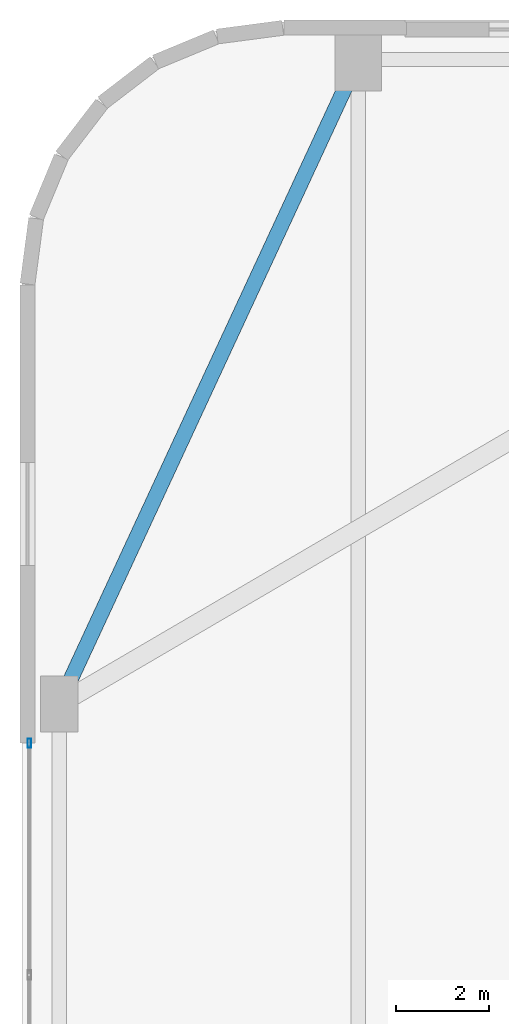
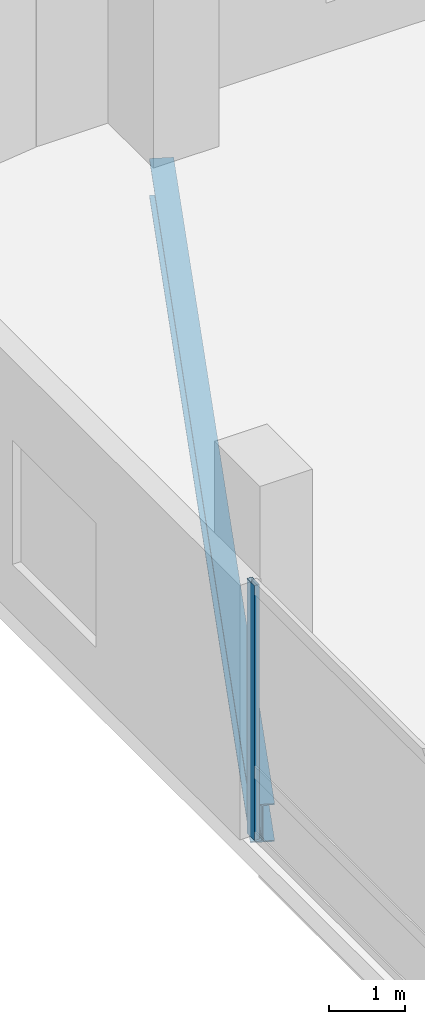
# One storey, part 14 of 31: 1 beam, 1 member, 1 element without a shape of its own.
"""IFC4 building model written with IfcOpenShell, lengths in metres."""

from ifc_helpers import new_model, si_unit, direction, frame, origin, origin_2d, place, context, subcontext, project, spatial, hollow_rectangle, i_section, extrude, material, layer, layer_set, material_profile, profile_set, type_object, element, aggregate, save


model = new_model("IFC4")

# Units and contexts
model_context = context("Model", 3, precision=1e-05, world=origin(), true_north=direction((0.0, 1.0)))
body_context = subcontext(model_context, "Body", "Model", "MODEL_VIEW")
ifc_project = project(units=[si_unit("LENGTHUNIT", "METRE"), si_unit("AREAUNIT", "SQUARE_METRE"), si_unit("VOLUMEUNIT", "CUBIC_METRE"), si_unit("PLANEANGLEUNIT", "RADIAN"), si_unit("MASSUNIT", "GRAM", prefix="KILO")], contexts=[model_context])

# Site, building, storey
site_placement = place(None, origin())
site = spatial("IfcSite", under=ifc_project, at=site_placement, CompositionType="ELEMENT")
building_placement = place(site_placement, origin())
building = spatial("IfcBuilding", under=site, at=building_placement, Name="Varnelok Gate Tower", CompositionType="ELEMENT")
storey_placement = place(building_placement, frame((0.0, 0.0, 21.60009765625)))
storey = spatial("IfcBuildingStorey", under=building, at=storey_placement, Name="L04", CompositionType="ELEMENT", Elevation=21.60009765625)

# Beam
ifc_material_1 = material(Name="Structural Steel ASTM A992 Grade 50", Category="steel")
ifc_material_profile_1 = material_profile(ifc_material_1, i_section(OverallWidth=0.323974609375, OverallDepth=0.611083984375, WebThickness=0.0126953125, FlangeThickness=0.01904296875, FilletRadius=0.01806640625, at=origin_2d()), Name="W24X104")
ifc_profile_set_1 = profile_set([ifc_material_profile_1], Name="Structural Steel ASTM A992 Grade 50")
beam_type = type_object("IfcBeamType", Name="BM-SPN-W24X104", PredefinedType="SPANDREL", material=ifc_profile_set_1)
beam_placement = place(storey_placement, frame((0.85888671875, 36.126953125, -0.62548828125), z_axis=(0.420722638096, 0.907189319709, 0.0), x_axis=(-0.907189319709, 0.420722638096, 0.0)))
element("IfcBeam", 1, at=beam_placement, inside=storey, type_object=beam_type, Name="L04 Podium Primary Girder 9", PredefinedType="SPANDREL", context=body_context, shape_type="SweptSolid", body=[
    extrude(i_section(OverallWidth=0.323974609375, OverallDepth=0.611083984375, WebThickness=0.0126953125, FlangeThickness=0.01904296875, FilletRadius=0.01806640625, at=origin_2d()), origin(), (0.0, 0.0, 1.0), 14.931884765625),
])

# Curtain wall, member
ifc_material_2 = material(Name="Anodized Aluminum Alloy 6063-T6", Category="aluminium")
ifc_layer = layer(ifc_material_2, 0.179931640625)
ifc_layer_set = layer_set([ifc_layer], Name="Anodized Aluminum Alloy 6063-T6")
curtain_wall_type = type_object("IfcCurtainWallType", Name="CW1-ARCH-PORTAL", PredefinedType="USERDEFINED", material=ifc_layer_set)
curtain_wall_placement = place(storey_placement, origin())
curtain_wall = element("IfcCurtainWall", 2, at=curtain_wall_placement, inside=storey, type_object=curtain_wall_type, Name="L04 Podium Portal Curtain Wall W", ObjectType="UNITISED CURTAIN WALL", PredefinedType="USERDEFINED")
ifc_material_profile_2 = material_profile(ifc_material_2, hollow_rectangle(XDim=0.074951171875, YDim=0.199951171875, WallThickness=0.00390625, at=origin_2d()), Name="ALU200X75X4")
ifc_profile_set_2 = profile_set([ifc_material_profile_2], Name="Anodized Aluminum Alloy 6063-T6")
member_type = type_object("IfcMemberType", Name="CW-MULL-200", PredefinedType="MULLION", material=ifc_profile_set_2)
member_placement = place(storey_placement, frame((0.159912109375, 35.16259765625, 0.0), z_axis=(0.0, 0.0, 1.0), x_axis=(-1.0, 0.0, 0.0)))
member = element("IfcMember", 3, at=member_placement, type_object=member_type, Name="CW1 mullion 5", PredefinedType="MULLION", context=body_context, shape_type="SweptSolid", body=[
    extrude(hollow_rectangle(XDim=0.074951171875, YDim=0.199951171875, WallThickness=0.00390625, at=origin_2d()), origin(), (0.0, 0.0, 1.0), 4.099853515625),
])
aggregate(curtain_wall, [member])

save(model, "model.ifc")
